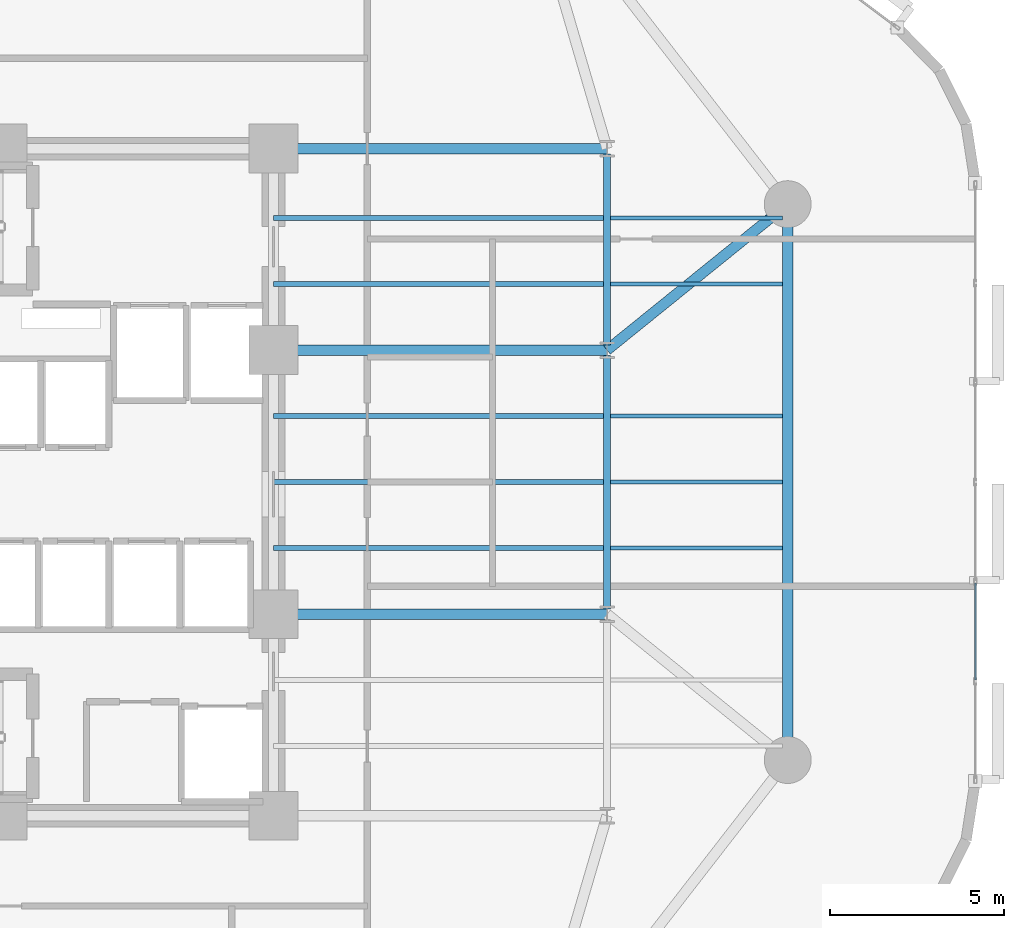
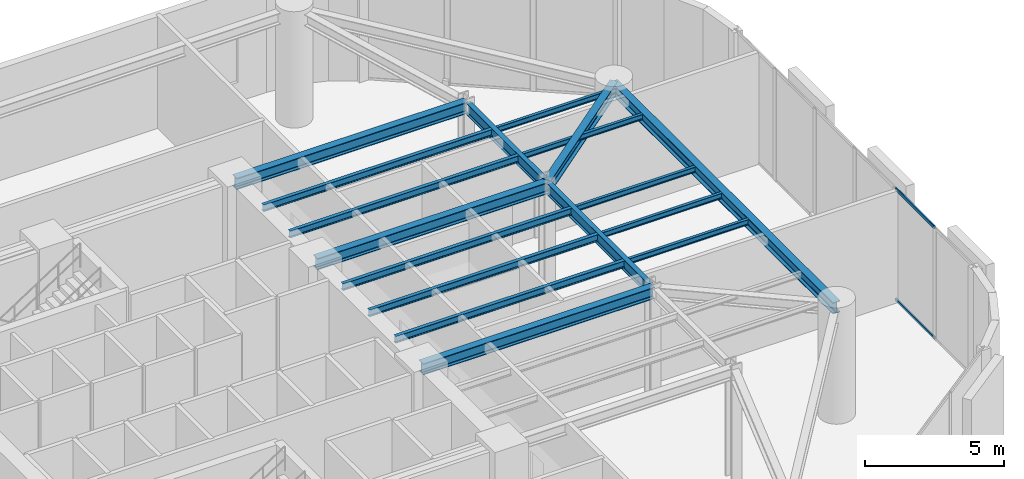
# One storey, part 5 of 14: 17 beams, 2 members, 1 element without a shape of its own.
"""IFC4 building model written with IfcOpenShell, lengths in metres."""

import ifcopenshell
import ifcopenshell.guid

model = None  # the IFC model being written
_history = None  # IfcOwnerHistory: only IFC2X3 demands one
_inside = {}  # id of a spatial element -> (the spatial element, [elements in it])
_under = {}  # id of a project, library or spatial element -> (it, [spatial elements below it])
_declared = {}  # id of a project -> (the project, [libraries it declares])
_typed = {}  # id of a type object -> (the type object, [elements of that type])
_made_of = {}  # id of a material, layer set ... -> (it, [elements and type objects made of it])


def new_model(schema):
    """Start an empty IFC model of exactly this schema.

    Asked for "IFC4X3", IfcOpenShell would pick the latest addendum, in which some entities
    have other attributes; the version numbers below select the first issue.
    IFC2X3 requires an IfcOwnerHistory on every rooted entity: one is made here for all.
    """
    global model, _history
    if schema == "IFC4X3":
        model = ifcopenshell.file(schema_version=(4, 3, 0, 0))
    else:
        model = ifcopenshell.file(schema=schema)
    _inside.clear()
    _under.clear()
    _declared.clear()
    _typed.clear()
    _made_of.clear()
    _history = None
    if model.schema == "IFC2X3":
        org = make("IfcOrganization", Name="unknown")
        user = make(
            "IfcPersonAndOrganization",
            ThePerson=make("IfcPerson", FamilyName="unknown"),
            TheOrganization=org,
        )
        app = make(
            "IfcApplication",
            ApplicationDeveloper=org,
            Version="unknown",
            ApplicationFullName="unknown",
            ApplicationIdentifier="unknown",
        )
        _history = make(
            "IfcOwnerHistory",
            OwningUser=user,
            OwningApplication=app,
            ChangeAction="ADDED",
            CreationDate=0,
        )
    return model


def make(cls, **values):
    """One entity of the class cls with the attributes given. An attribute that is None is left unset."""
    return model.create_entity(
        cls, **{name: value for name, value in values.items() if value is not None}
    )


def rooted(cls, **values):
    """An entity with a GlobalId (a new one), such as an element, a storey or a relation."""
    return make(cls, GlobalId=ifcopenshell.guid.new(), OwnerHistory=_history, **values)


def si_unit(unit_type, name, prefix=None):
    """IfcSIUnit, for example si_unit("LENGTHUNIT", "METRE", prefix="MILLI")."""
    return make("IfcSIUnit", UnitType=unit_type, Prefix=prefix, Name=name)


def assignment(units):
    """IfcUnitAssignment: the units of a project."""
    return None if units is None else make("IfcUnitAssignment", Units=units)


def point(xyz):
    """IfcCartesianPoint."""
    return None if xyz is None else make("IfcCartesianPoint", Coordinates=xyz)


def direction(xyz):
    """IfcDirection."""
    return None if xyz is None else make("IfcDirection", DirectionRatios=xyz)


def frame(location, z_axis=None, x_axis=None):
    """IfcAxis2Placement3D, a coordinate frame: its origin and axes. An axis left out is left unset."""
    return make(
        "IfcAxis2Placement3D",
        Location=point(location),
        Axis=direction(z_axis),
        RefDirection=direction(x_axis),
    )


def frame_2d(location, x_axis=None):
    """IfcAxis2Placement2D, a coordinate frame in the plane: its origin and x axis."""
    return make(
        "IfcAxis2Placement2D", Location=point(location), RefDirection=direction(x_axis)
    )


def origin():
    """The frame at (0, 0, 0) with its axes left unset."""
    return frame((0.0, 0.0, 0.0))


def origin_2d():
    """The frame at (0, 0) in the plane with its x axis left unset."""
    return frame_2d((0.0, 0.0))


def place(relative_to, where):
    """IfcLocalPlacement: puts the frame where relative to a parent placement (None: the world)."""
    return make(
        "IfcLocalPlacement", PlacementRelTo=relative_to, RelativePlacement=where
    )


def context(
    kind, dimensions, precision=None, world=None, true_north=None, identifier=None
):
    """IfcGeometricRepresentationContext, for example the 3D "Model" context."""
    return make(
        "IfcGeometricRepresentationContext",
        ContextIdentifier=identifier,
        ContextType=kind,
        CoordinateSpaceDimension=dimensions,
        Precision=precision,
        WorldCoordinateSystem=world,
        TrueNorth=true_north,
    )


def subcontext(parent, identifier, kind, view, scale=None):
    """IfcGeometricRepresentationSubContext, for example "Body" below "Model"."""
    return make(
        "IfcGeometricRepresentationSubContext",
        ContextIdentifier=identifier,
        ContextType=kind,
        ParentContext=parent,
        TargetScale=scale,
        TargetView=view,
    )


def project(units=None, contexts=None):
    """IfcProject with its units and contexts."""
    return rooted(
        "IfcProject",
        Name="project",
        RepresentationContexts=contexts,
        UnitsInContext=assignment(units),
    )


def spatial(cls, under=None, at=None, **own):
    """A site, building, storey or space (cls), placed at a placement, below another one or the project."""
    s = rooted(cls, ObjectPlacement=at, **own)
    if under is not None:
        _under.setdefault(under.id(), (under, []))[1].append(s)
    return s


def profile(cls, at=None, kind="AREA", **sizes):
    """A parametric profile (cls). Its sizes go by their IFC names, for example OverallWidth=200.0."""
    return make(cls, ProfileType=kind, Position=at, **sizes)


def hollow_rectangle(**sizes):
    """IfcRectangleHollowProfileDef."""
    return profile("IfcRectangleHollowProfileDef", **sizes)


def i_section(**sizes):
    """IfcIShapeProfileDef."""
    return profile("IfcIShapeProfileDef", **sizes)


def extrude(swept, where, along, depth):
    """IfcExtrudedAreaSolid: the profile swept, set in the frame where, extruded along a direction by depth."""
    return make(
        "IfcExtrudedAreaSolid",
        SweptArea=swept,
        Position=where,
        ExtrudedDirection=direction(along),
        Depth=depth,
    )


def shape(context_of_items, identifier, shape_type, items):
    """IfcShapeRepresentation: the items that make up one representation, for example the "Body"."""
    return make(
        "IfcShapeRepresentation",
        ContextOfItems=context_of_items,
        RepresentationIdentifier=identifier,
        RepresentationType=shape_type,
        Items=items,
    )


def material(Name=None, Category=None):
    """IfcMaterial."""
    return make("IfcMaterial", Name=Name, Category=Category)


def layer(
    of_material, thickness, ventilated=None, Name=None, Category=None, Priority=None
):
    """IfcMaterialLayer: one layer of a wall or slab, of a material (None: an air gap)."""
    return make(
        "IfcMaterialLayer",
        Material=of_material,
        LayerThickness=thickness,
        IsVentilated=ventilated,
        Name=Name,
        Category=Category,
        Priority=Priority,
    )


def layer_set(layers, Name=None):
    """IfcMaterialLayerSet."""
    return make("IfcMaterialLayerSet", MaterialLayers=layers, LayerSetName=Name)


def material_profile(
    of_material, cross_section, Name=None, Category=None, Priority=None
):
    """IfcMaterialProfile: a cross section and its material."""
    return make(
        "IfcMaterialProfile",
        Name=Name,
        Material=of_material,
        Profile=cross_section,
        Priority=Priority,
        Category=Category,
    )


def profile_set(profiles, Name=None, composite=None):
    """IfcMaterialProfileSet."""
    return make(
        "IfcMaterialProfileSet",
        Name=Name,
        MaterialProfiles=profiles,
        CompositeProfile=composite,
    )


def made_of(thing, what):
    """Note that an element or type object is made of a material, layer set ...; save() writes the relation."""
    if what is not None:
        _made_of.setdefault(what.id(), (what, []))[1].append(thing)
    return thing


def type_object(cls, material=None, **own):
    """A type object (cls), such as IfcWallType, which elements share."""
    return made_of(rooted(cls, **own), material)


def element(
    cls,
    number,
    at=None,
    inside=None,
    cuts=None,
    type_object=None,
    material=None,
    context=None,
    identifier="Body",
    shape_type=None,
    held_by="IfcProductDefinitionShape",
    body=None,
    shapes=None,
    **own,
):
    """One element of the class cls, such as IfcWall. Its Tag is "e" and its number.

    at: its placement. inside: the storey or other place that contains it. cuts: it is an
    opening in that element (IfcRelVoidsElement). A single representation is given by context,
    identifier, shape_type and body (its items); several are given by shapes. held_by: the class
    of the entity that holds the representations. save() writes the other relations.
    """
    e = rooted(cls, Tag="e%d" % number, ObjectPlacement=at, **own)
    if body is not None:
        shapes = [shape(context, identifier, shape_type, body)]
    if shapes is not None:
        e.Representation = make(held_by, Representations=shapes)
    if inside is not None:
        _inside.setdefault(inside.id(), (inside, []))[1].append(e)
    if cuts is not None:
        rooted(
            "IfcRelVoidsElement", RelatingBuildingElement=cuts, RelatedOpeningElement=e
        )
    if type_object is not None:
        _typed.setdefault(type_object.id(), (type_object, []))[1].append(e)
    return made_of(e, material)


def aggregate(whole, parts):
    """IfcRelAggregates: a whole, such as a stair, and the parts it consists of."""
    return rooted("IfcRelAggregates", RelatingObject=whole, RelatedObjects=parts)


def save(model, path):
    """Write the relations noted so far, then the file.

    IfcRelAggregates (storeys below a building ...), IfcRelContainedInSpatialStructure (elements
    in a storey), IfcRelDefinesByType, IfcRelAssociatesMaterial and IfcRelDeclares: one each for
    every whole, place, type object, material and project.
    """
    for whole, parts in _under.values():
        aggregate(whole, parts)
    for where, things in _inside.values():
        rooted(
            "IfcRelContainedInSpatialStructure",
            RelatedElements=things,
            RelatingStructure=where,
        )
    for kind, things in _typed.values():
        rooted("IfcRelDefinesByType", RelatedObjects=things, RelatingType=kind)
    for what, things in _made_of.values():
        rooted("IfcRelAssociatesMaterial", RelatedObjects=things, RelatingMaterial=what)
    for by, libraries in _declared.values():
        rooted("IfcRelDeclares", RelatingContext=by, RelatedDefinitions=libraries)
    model.write(path)


model = new_model("IFC4")

# Units and contexts
model_context = context("Model", 3, precision=1e-05, world=origin(), true_north=direction((0.0, 1.0)))
body_context = subcontext(model_context, "Body", "Model", "MODEL_VIEW")
ifc_project = project(units=[si_unit("LENGTHUNIT", "METRE"), si_unit("AREAUNIT", "SQUARE_METRE"), si_unit("VOLUMEUNIT", "CUBIC_METRE"), si_unit("PLANEANGLEUNIT", "RADIAN"), si_unit("MASSUNIT", "GRAM", prefix="KILO")], contexts=[model_context])

# Site, building, storey
site_placement = place(None, origin())
site = spatial("IfcSite", under=ifc_project, at=site_placement, CompositionType="ELEMENT")
building_placement = place(site_placement, origin())
building = spatial("IfcBuilding", under=site, at=building_placement, Name="An Khanh Terracotta Commons", CompositionType="ELEMENT")
storey_placement = place(building_placement, frame((0.0, 0.0, 81.199951171875)))
storey = spatial("IfcBuildingStorey", under=building, at=storey_placement, Name="L21", CompositionType="ELEMENT", Elevation=81.199951171875)

# Beams
ifc_material_1 = material(Name="Steel S355J2", Category="steel")
ifc_material_profile_1 = material_profile(ifc_material_1, i_section(OverallWidth=0.300048828125, OverallDepth=0.5, WebThickness=0.014404296875, FlangeThickness=0.028076171875, FilletRadius=0.027099609375, at=origin_2d()), Name="HEB500")
ifc_profile_set_1 = profile_set([ifc_material_profile_1], Name="Steel S355J2")
beam_type_1 = type_object("IfcBeamType", Name="BM-HEB500", PredefinedType="BEAM", material=ifc_profile_set_1)
beam_1_placement = place(storey_placement, frame((52.0, 16.0, 4.650146484375), z_axis=(0.0, 1.0, 0.0), x_axis=(-1.0, 0.0, 0.0)))
element("IfcBeam", 1, at=beam_1_placement, inside=storey, type_object=beam_type_1, Name="L21 Perimeter Ring Spandrel 3", PredefinedType="BEAM", context=body_context, shape_type="SweptSolid", body=[
    extrude(i_section(OverallWidth=0.300048828125, OverallDepth=0.5, WebThickness=0.014404296875, FlangeThickness=0.028076171875, FilletRadius=0.027099609375, at=origin_2d()), origin(), (0.0, 0.0, 1.0), 16.0),
])
for number, where, z_axis, x_axis, name in (
    (2, (37.199951171875, 20.199951171875, 4.650146484375), (1.0, 0.0, 0.0), (0.0, 1.0, 0.0), "L21 East Primary Floor Girder 2"),
    (3, (37.199951171875, 27.800048828125, 4.650146484375), (1.0, 0.0, 0.0), (0.0, 1.0, 0.0), "L21 East Primary Floor Girder 3"),
    (4, (37.199951171875, 33.60009765625, 4.650146484375), (1.0, 0.0, 0.0), (0.0, 1.0, 0.0), "L21 East Primary Floor Girder 4"),
):
    element("IfcBeam", number, at=place(storey_placement, frame(where, z_axis=z_axis, x_axis=x_axis)), inside=storey, type_object=beam_type_1, Name=name, PredefinedType="BEAM", context=body_context, shape_type="SweptSolid", body=[
        extrude(i_section(OverallWidth=0.300048828125, OverallDepth=0.5, WebThickness=0.014404296875, FlangeThickness=0.028076171875, FilletRadius=0.027099609375, at=origin_2d()), origin(), (0.0, 0.0, 1.0), 9.60009765625),
    ])
beam_2_placement = place(storey_placement, frame((52.0, 32.0, 4.650146484375), z_axis=(-0.777941866883, -0.628336256913, 0.0), x_axis=(0.628336256913, -0.777941866883, 0.0)))
element("IfcBeam", 5, at=beam_2_placement, inside=storey, type_object=beam_type_1, Name="L21 Mega-Column Tie Girder 4", PredefinedType="BEAM", context=body_context, shape_type="SweptSolid", body=[
    extrude(i_section(OverallWidth=0.300048828125, OverallDepth=0.5, WebThickness=0.014404296875, FlangeThickness=0.028076171875, FilletRadius=0.027099609375, at=origin_2d()), origin(), (0.0, 0.0, 1.0), 6.684326171875),
])
ifc_material_profile_2 = material_profile(ifc_material_1, i_section(OverallWidth=0.1201171875, OverallDepth=0.239990234375, WebThickness=0.006103515625, FlangeThickness=0.009765625, FilletRadius=0.014892578125, at=origin_2d()), Name="IPE240")
ifc_profile_set_2 = profile_set([ifc_material_profile_2], Name="Steel S355J2")
beam_type_2 = type_object("IfcBeamType", Name="BM-IPE240", PredefinedType="JOIST", material=ifc_profile_set_2)
for number, where, z_axis, x_axis, name in (
    (6, (46.89990234375, 22.10009765625, 4.780029296875), (1.0, 0.0, 0.0), (0.0, 1.0, 0.0), "L21 Riverfront Composite Joist 3"),
    (7, (46.89990234375, 24.0, 4.780029296875), (1.0, 0.0, 0.0), (0.0, 1.0, 0.0), "L21 Riverfront Composite Joist 4"),
    (8, (46.89990234375, 25.89990234375, 4.780029296875), (1.0, 0.0, 0.0), (0.0, 1.0, 0.0), "L21 Riverfront Composite Joist 5"),
    (9, (46.89990234375, 29.699951171875, 4.780029296875), (1.0, 0.0, 0.0), (0.0, 1.0, 0.0), "L21 Riverfront Composite Joist 6"),
    (10, (46.89990234375, 31.60009765625, 4.780029296875), (1.0, 0.0, 0.0), (0.0, 1.0, 0.0), "L21 Riverfront Composite Joist 7"),
):
    element("IfcBeam", number, at=place(storey_placement, frame(where, z_axis=z_axis, x_axis=x_axis)), inside=storey, type_object=beam_type_2, Name=name, PredefinedType="JOIST", context=body_context, shape_type="SweptSolid", body=[
        extrude(i_section(OverallWidth=0.1201171875, OverallDepth=0.239990234375, WebThickness=0.006103515625, FlangeThickness=0.009765625, FilletRadius=0.014892578125, at=origin_2d()), origin(), (0.0, 0.0, 1.0), 4.9501953125),
    ])
ifc_material_profile_3 = material_profile(ifc_material_1, i_section(OverallWidth=0.14990234375, OverallDepth=0.300048828125, WebThickness=0.007080078125, FlangeThickness=0.0107421875, FilletRadius=0.014892578125, at=origin_2d()), Name="IPE300")
ifc_profile_set_3 = profile_set([ifc_material_profile_3], Name="Steel S355J2")
beam_type_3 = type_object("IfcBeamType", Name="BM-IPE300", PredefinedType="JOIST", material=ifc_profile_set_3)
for number, where, z_axis, x_axis, name in (
    (11, (37.199951171875, 22.10009765625, 4.75), (1.0, 0.0, 0.0), (0.0, 1.0, 0.0), "L21 Inboard Composite Joist 3"),
    (12, (37.199951171875, 24.0, 4.75), (1.0, 0.0, 0.0), (0.0, 1.0, 0.0), "L21 Inboard Composite Joist 4"),
    (13, (37.199951171875, 25.89990234375, 4.75), (1.0, 0.0, 0.0), (0.0, 1.0, 0.0), "L21 Inboard Composite Joist 5"),
    (14, (37.199951171875, 29.699951171875, 4.75), (1.0, 0.0, 0.0), (0.0, 1.0, 0.0), "L21 Inboard Composite Joist 6"),
    (15, (37.199951171875, 31.60009765625, 4.75), (1.0, 0.0, 0.0), (0.0, 1.0, 0.0), "L21 Inboard Composite Joist 7"),
):
    element("IfcBeam", number, at=place(storey_placement, frame(where, z_axis=z_axis, x_axis=x_axis)), inside=storey, type_object=beam_type_3, Name=name, PredefinedType="JOIST", context=body_context, shape_type="SweptSolid", body=[
        extrude(i_section(OverallWidth=0.14990234375, OverallDepth=0.300048828125, WebThickness=0.007080078125, FlangeThickness=0.0107421875, FilletRadius=0.014892578125, at=origin_2d()), origin(), (0.0, 0.0, 1.0), 9.5),
    ])
ifc_material_profile_4 = material_profile(ifc_material_1, i_section(OverallWidth=0.199951171875, OverallDepth=0.5, WebThickness=0.01025390625, FlangeThickness=0.01611328125, FilletRadius=0.02099609375, at=origin_2d()), Name="IPE500")
ifc_profile_set_4 = profile_set([ifc_material_profile_4], Name="Steel S355J2")
beam_type_4 = type_object("IfcBeamType", Name="BM-IPE500", PredefinedType="BEAM", material=ifc_profile_set_4)
beam_3_placement = place(storey_placement, frame((46.800048828125, 20.35009765625, 4.650146484375), z_axis=(0.0, 1.0, 0.0), x_axis=(-1.0, 0.0, 0.0)))
element("IfcBeam", 16, at=beam_3_placement, inside=storey, type_object=beam_type_4, Name="L21 East Spine Girder 2", PredefinedType="BEAM", context=body_context, shape_type="SweptSolid", body=[
    extrude(i_section(OverallWidth=0.199951171875, OverallDepth=0.5, WebThickness=0.01025390625, FlangeThickness=0.01611328125, FilletRadius=0.02099609375, at=origin_2d()), origin(), (0.0, 0.0, 1.0), 7.2998046875),
])
beam_4_placement = place(storey_placement, frame((46.800048828125, 27.949951171875, 4.650146484375), z_axis=(0.0, 1.0, 0.0), x_axis=(-1.0, 0.0, 0.0)))
element("IfcBeam", 17, at=beam_4_placement, inside=storey, type_object=beam_type_4, Name="L21 East Spine Girder 3", PredefinedType="BEAM", context=body_context, shape_type="SweptSolid", body=[
    extrude(i_section(OverallWidth=0.199951171875, OverallDepth=0.5, WebThickness=0.01025390625, FlangeThickness=0.01611328125, FilletRadius=0.02099609375, at=origin_2d()), origin(), (0.0, 0.0, 1.0), 5.5),
])

# Curtain wall, members
ifc_material_2 = material(Name="Anodised Aluminium 6063-T6", Category="aluminium")
ifc_layer = layer(ifc_material_2, 0.239990234375, Name="Anodised Aluminium 6063-T6")
ifc_layer_set = layer_set([ifc_layer], Name="Anodised Aluminium 6063-T6")
curtain_wall_type = type_object("IfcCurtainWallType", Name="CW-SYS-04", PredefinedType="USERDEFINED", material=ifc_layer_set)
curtain_wall_placement = place(storey_placement, origin())
curtain_wall = element("IfcCurtainWall", 18, at=curtain_wall_placement, inside=storey, type_object=curtain_wall_type, Name="L21 CW-04 Unitised Curtain Wall CW-L21-12", ObjectType="UNITISED CURTAIN WALL", PredefinedType="USERDEFINED")
ifc_material_profile_5 = material_profile(ifc_material_2, hollow_rectangle(XDim=0.06005859375, YDim=0.135009765625, WallThickness=0.003662109375, InnerFilletRadius=0.003662109375, OuterFilletRadius=0.007080078125, at=origin_2d()), Name="RHS135x60x3.6")
ifc_profile_set_5 = profile_set([ifc_material_profile_5], Name="Anodised Aluminium 6063-T6")
member_type = type_object("IfcMemberType", Name="CWT-RHS135x60x3.6", PredefinedType="USERDEFINED", material=ifc_profile_set_5)
member_1_placement = place(storey_placement, frame((57.39990234375, 18.306640625, 0.030029296875), z_axis=(0.0, 1.0, 0.0), x_axis=(-1.0, 0.0, 0.0)))
member_1 = element("IfcMember", 19, at=member_1_placement, type_object=member_type, Name="CW-04 transom 2.1", ObjectType="TRANSOM", PredefinedType="USERDEFINED", context=body_context, shape_type="SweptSolid", body=[
    extrude(hollow_rectangle(XDim=0.06005859375, YDim=0.135009765625, WallThickness=0.003662109375, InnerFilletRadius=0.003662109375, OuterFilletRadius=0.007080078125, at=origin_2d()), origin(), (0.0, 0.0, 1.0), 2.78662109375),
])
member_2_placement = place(storey_placement, frame((57.39990234375, 18.306640625, 4.8701171875), z_axis=(0.0, 1.0, 0.0), x_axis=(-1.0, 0.0, 0.0)))
member_2 = element("IfcMember", 20, at=member_2_placement, type_object=member_type, Name="CW-04 transom 2.2", ObjectType="TRANSOM", PredefinedType="USERDEFINED", context=body_context, shape_type="SweptSolid", body=[
    extrude(hollow_rectangle(XDim=0.06005859375, YDim=0.135009765625, WallThickness=0.003662109375, InnerFilletRadius=0.003662109375, OuterFilletRadius=0.007080078125, at=origin_2d()), origin(), (0.0, 0.0, 1.0), 2.78662109375),
])
aggregate(curtain_wall, [member_1, member_2])

save(model, "model.ifc")
